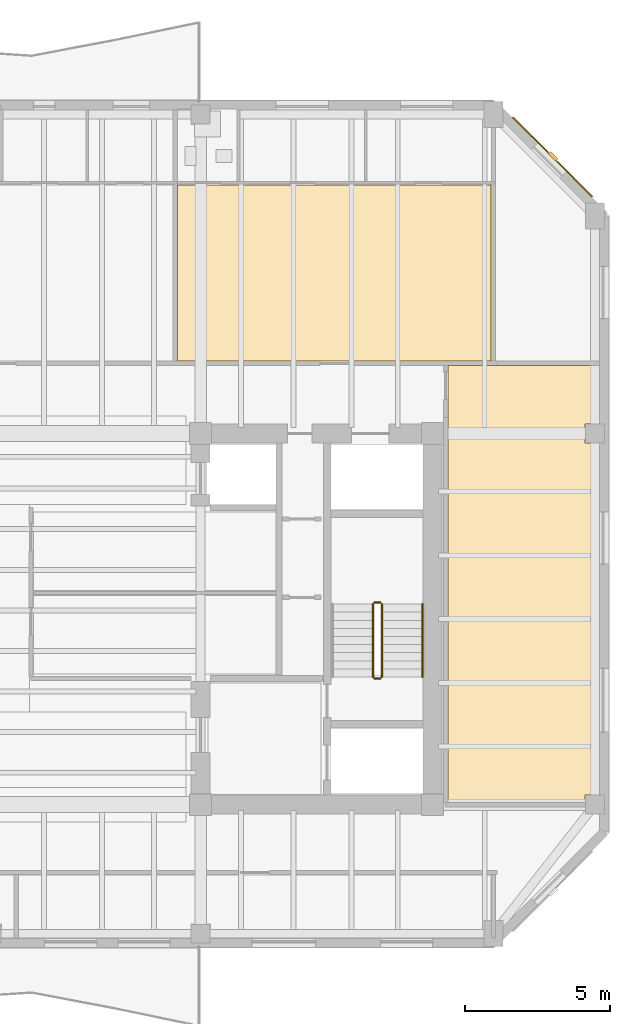
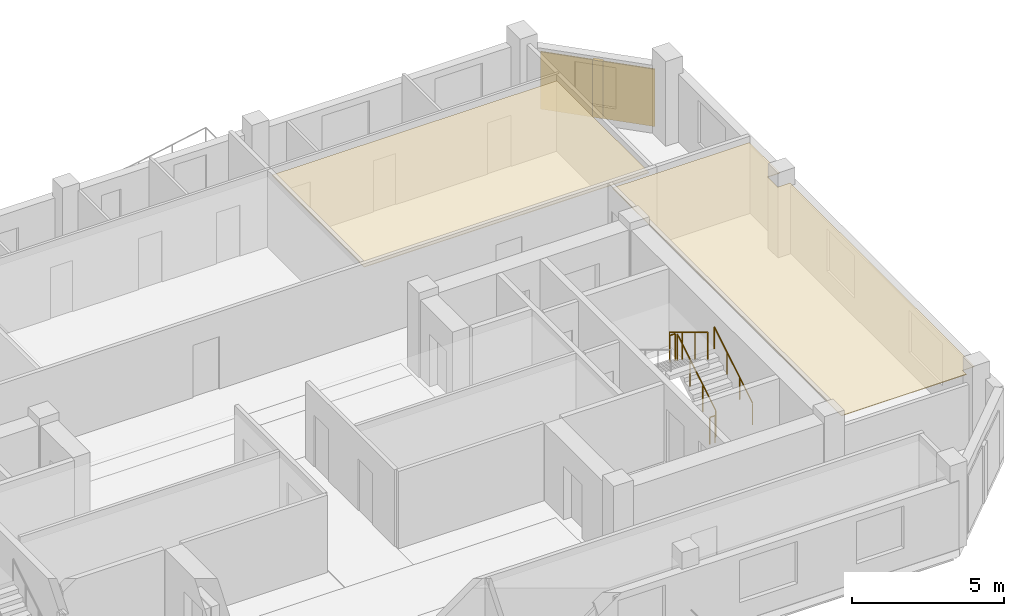
# One storey, part 9 of 10: 5 railings, 3 coverings, 1 shading device.
"""IFC4 building model written with IfcOpenShell, lengths in metres."""

import ifcopenshell
import ifcopenshell.guid

model = None  # the IFC model being written
_history = None  # IfcOwnerHistory: only IFC2X3 demands one
_inside = {}  # id of a spatial element -> (the spatial element, [elements in it])
_under = {}  # id of a project, library or spatial element -> (it, [spatial elements below it])
_declared = {}  # id of a project -> (the project, [libraries it declares])
_typed = {}  # id of a type object -> (the type object, [elements of that type])
_made_of = {}  # id of a material, layer set ... -> (it, [elements and type objects made of it])


def new_model(schema):
    """Start an empty IFC model of exactly this schema.

    Asked for "IFC4X3", IfcOpenShell would pick the latest addendum, in which some entities
    have other attributes; the version numbers below select the first issue.
    IFC2X3 requires an IfcOwnerHistory on every rooted entity: one is made here for all.
    """
    global model, _history
    if schema == "IFC4X3":
        model = ifcopenshell.file(schema_version=(4, 3, 0, 0))
    else:
        model = ifcopenshell.file(schema=schema)
    _inside.clear()
    _under.clear()
    _declared.clear()
    _typed.clear()
    _made_of.clear()
    _history = None
    if model.schema == "IFC2X3":
        org = make("IfcOrganization", Name="unknown")
        user = make(
            "IfcPersonAndOrganization",
            ThePerson=make("IfcPerson", FamilyName="unknown"),
            TheOrganization=org,
        )
        app = make(
            "IfcApplication",
            ApplicationDeveloper=org,
            Version="unknown",
            ApplicationFullName="unknown",
            ApplicationIdentifier="unknown",
        )
        _history = make(
            "IfcOwnerHistory",
            OwningUser=user,
            OwningApplication=app,
            ChangeAction="ADDED",
            CreationDate=0,
        )
    return model


def make(cls, **values):
    """One entity of the class cls with the attributes given. An attribute that is None is left unset."""
    return model.create_entity(
        cls, **{name: value for name, value in values.items() if value is not None}
    )


def rooted(cls, **values):
    """An entity with a GlobalId (a new one), such as an element, a storey or a relation."""
    return make(cls, GlobalId=ifcopenshell.guid.new(), OwnerHistory=_history, **values)


def si_unit(unit_type, name, prefix=None):
    """IfcSIUnit, for example si_unit("LENGTHUNIT", "METRE", prefix="MILLI")."""
    return make("IfcSIUnit", UnitType=unit_type, Prefix=prefix, Name=name)


def assignment(units):
    """IfcUnitAssignment: the units of a project."""
    return None if units is None else make("IfcUnitAssignment", Units=units)


def point(xyz):
    """IfcCartesianPoint."""
    return None if xyz is None else make("IfcCartesianPoint", Coordinates=xyz)


def direction(xyz):
    """IfcDirection."""
    return None if xyz is None else make("IfcDirection", DirectionRatios=xyz)


def frame(location, z_axis=None, x_axis=None):
    """IfcAxis2Placement3D, a coordinate frame: its origin and axes. An axis left out is left unset."""
    return make(
        "IfcAxis2Placement3D",
        Location=point(location),
        Axis=direction(z_axis),
        RefDirection=direction(x_axis),
    )


def frame_2d(location, x_axis=None):
    """IfcAxis2Placement2D, a coordinate frame in the plane: its origin and x axis."""
    return make(
        "IfcAxis2Placement2D", Location=point(location), RefDirection=direction(x_axis)
    )


def origin():
    """The frame at (0, 0, 0) with its axes left unset."""
    return frame((0.0, 0.0, 0.0))


def origin_2d():
    """The frame at (0, 0) in the plane with its x axis left unset."""
    return frame_2d((0.0, 0.0))


def place(relative_to, where):
    """IfcLocalPlacement: puts the frame where relative to a parent placement (None: the world)."""
    return make(
        "IfcLocalPlacement", PlacementRelTo=relative_to, RelativePlacement=where
    )


def context(
    kind, dimensions, precision=None, world=None, true_north=None, identifier=None
):
    """IfcGeometricRepresentationContext, for example the 3D "Model" context."""
    return make(
        "IfcGeometricRepresentationContext",
        ContextIdentifier=identifier,
        ContextType=kind,
        CoordinateSpaceDimension=dimensions,
        Precision=precision,
        WorldCoordinateSystem=world,
        TrueNorth=true_north,
    )


def subcontext(parent, identifier, kind, view, scale=None):
    """IfcGeometricRepresentationSubContext, for example "Body" below "Model"."""
    return make(
        "IfcGeometricRepresentationSubContext",
        ContextIdentifier=identifier,
        ContextType=kind,
        ParentContext=parent,
        TargetScale=scale,
        TargetView=view,
    )


def project(units=None, contexts=None):
    """IfcProject with its units and contexts."""
    return rooted(
        "IfcProject",
        Name="project",
        RepresentationContexts=contexts,
        UnitsInContext=assignment(units),
    )


def spatial(cls, under=None, at=None, **own):
    """A site, building, storey or space (cls), placed at a placement, below another one or the project."""
    s = rooted(cls, ObjectPlacement=at, **own)
    if under is not None:
        _under.setdefault(under.id(), (under, []))[1].append(s)
    return s


def polyline(points):
    """IfcPolyline through the points."""
    return make("IfcPolyline", Points=[point(p) for p in points])


def profile(cls, at=None, kind="AREA", **sizes):
    """A parametric profile (cls). Its sizes go by their IFC names, for example OverallWidth=200.0."""
    return make(cls, ProfileType=kind, Position=at, **sizes)


def rectangle(**sizes):
    """IfcRectangleProfileDef."""
    return profile("IfcRectangleProfileDef", **sizes)


def circle(**sizes):
    """IfcCircleProfileDef."""
    return profile("IfcCircleProfileDef", **sizes)


def outline(outer, holes=None, kind="AREA"):
    """IfcArbitraryClosedProfileDef: a profile drawn as a closed curve; with holes, ...WithVoids."""
    if holes is None:
        return make("IfcArbitraryClosedProfileDef", ProfileType=kind, OuterCurve=outer)
    return make(
        "IfcArbitraryProfileDefWithVoids",
        ProfileType=kind,
        OuterCurve=outer,
        InnerCurves=holes,
    )


def extrude(swept, where, along, depth):
    """IfcExtrudedAreaSolid: the profile swept, set in the frame where, extruded along a direction by depth."""
    return make(
        "IfcExtrudedAreaSolid",
        SweptArea=swept,
        Position=where,
        ExtrudedDirection=direction(along),
        Depth=depth,
    )


def shape(context_of_items, identifier, shape_type, items):
    """IfcShapeRepresentation: the items that make up one representation, for example the "Body"."""
    return make(
        "IfcShapeRepresentation",
        ContextOfItems=context_of_items,
        RepresentationIdentifier=identifier,
        RepresentationType=shape_type,
        Items=items,
    )


def material(Name=None, Category=None):
    """IfcMaterial."""
    return make("IfcMaterial", Name=Name, Category=Category)


def layer(
    of_material, thickness, ventilated=None, Name=None, Category=None, Priority=None
):
    """IfcMaterialLayer: one layer of a wall or slab, of a material (None: an air gap)."""
    return make(
        "IfcMaterialLayer",
        Material=of_material,
        LayerThickness=thickness,
        IsVentilated=ventilated,
        Name=Name,
        Category=Category,
        Priority=Priority,
    )


def layer_set(layers, Name=None):
    """IfcMaterialLayerSet."""
    return make("IfcMaterialLayerSet", MaterialLayers=layers, LayerSetName=Name)


def made_of(thing, what):
    """Note that an element or type object is made of a material, layer set ...; save() writes the relation."""
    if what is not None:
        _made_of.setdefault(what.id(), (what, []))[1].append(thing)
    return thing


def type_object(cls, material=None, **own):
    """A type object (cls), such as IfcWallType, which elements share."""
    return made_of(rooted(cls, **own), material)


def element(
    cls,
    number,
    at=None,
    inside=None,
    cuts=None,
    type_object=None,
    material=None,
    context=None,
    identifier="Body",
    shape_type=None,
    held_by="IfcProductDefinitionShape",
    body=None,
    shapes=None,
    **own,
):
    """One element of the class cls, such as IfcWall. Its Tag is "e" and its number.

    at: its placement. inside: the storey or other place that contains it. cuts: it is an
    opening in that element (IfcRelVoidsElement). A single representation is given by context,
    identifier, shape_type and body (its items); several are given by shapes. held_by: the class
    of the entity that holds the representations. save() writes the other relations.
    """
    e = rooted(cls, Tag="e%d" % number, ObjectPlacement=at, **own)
    if body is not None:
        shapes = [shape(context, identifier, shape_type, body)]
    if shapes is not None:
        e.Representation = make(held_by, Representations=shapes)
    if inside is not None:
        _inside.setdefault(inside.id(), (inside, []))[1].append(e)
    if cuts is not None:
        rooted(
            "IfcRelVoidsElement", RelatingBuildingElement=cuts, RelatedOpeningElement=e
        )
    if type_object is not None:
        _typed.setdefault(type_object.id(), (type_object, []))[1].append(e)
    return made_of(e, material)


def aggregate(whole, parts):
    """IfcRelAggregates: a whole, such as a stair, and the parts it consists of."""
    return rooted("IfcRelAggregates", RelatingObject=whole, RelatedObjects=parts)


def save(model, path):
    """Write the relations noted so far, then the file.

    IfcRelAggregates (storeys below a building ...), IfcRelContainedInSpatialStructure (elements
    in a storey), IfcRelDefinesByType, IfcRelAssociatesMaterial and IfcRelDeclares: one each for
    every whole, place, type object, material and project.
    """
    for whole, parts in _under.values():
        aggregate(whole, parts)
    for where, things in _inside.values():
        rooted(
            "IfcRelContainedInSpatialStructure",
            RelatedElements=things,
            RelatingStructure=where,
        )
    for kind, things in _typed.values():
        rooted("IfcRelDefinesByType", RelatedObjects=things, RelatingType=kind)
    for what, things in _made_of.values():
        rooted("IfcRelAssociatesMaterial", RelatedObjects=things, RelatingMaterial=what)
    for by, libraries in _declared.values():
        rooted("IfcRelDeclares", RelatingContext=by, RelatedDefinitions=libraries)
    model.write(path)


model = new_model("IFC4")

# Units and contexts
model_context = context("Model", 3, precision=1e-05, world=origin(), true_north=direction((0.0, 1.0)))
body_context = subcontext(model_context, "Body", "Model", "MODEL_VIEW")
ifc_project = project(units=[si_unit("LENGTHUNIT", "METRE"), si_unit("AREAUNIT", "SQUARE_METRE"), si_unit("VOLUMEUNIT", "CUBIC_METRE"), si_unit("PLANEANGLEUNIT", "RADIAN"), si_unit("MASSUNIT", "GRAM", prefix="KILO")], contexts=[model_context])

# Site, building, storey
site_placement = place(None, origin())
site = spatial("IfcSite", under=ifc_project, at=site_placement, CompositionType="ELEMENT")
building_placement = place(site_placement, origin())
building = spatial("IfcBuilding", under=site, at=building_placement, Name="Kranthara Brick Stack", CompositionType="ELEMENT")
storey_placement = place(building_placement, frame((0.0, 0.0, 275.5)))
storey = spatial("IfcBuildingStorey", under=building, at=storey_placement, Name="L73", CompositionType="ELEMENT", Elevation=275.5)

# Coverings
ifc_material_1 = material(Name="Perforated mineral-fibre acoustic ceiling tile", Category="other")
ifc_layer_1 = layer(ifc_material_1, 0.02490234375)
ifc_layer_set_1 = layer_set([ifc_layer_1], Name="Perforated mineral-fibre acoustic ceiling tile")
covering_type_1 = type_object("IfcCoveringType", Name="COV-CEIL-ACOUSTIC", PredefinedType="CEILING", material=ifc_layer_set_1)
covering_1_placement = place(storey_placement, frame((0.0, 0.0, 2.830078125)))
element("IfcCovering", 1, at=covering_1_placement, inside=storey, type_object=covering_type_1, Name="L73 Unit L73C 1-Bed Apartment Living Dining Acoustic Ceiling", PredefinedType="CEILING", context=body_context, shape_type="SweptSolid", body=[
    extrude(outline(polyline([(45.219970703125, 36.10009765625), (45.219970703125, 42.169921875), (34.409912109375, 42.169921875), (34.409912109375, 36.10009765625), (45.219970703125, 36.10009765625)])), origin(), (0.0, 0.0, 1.0), 0.02490234375),
])
covering_2_placement = place(storey_placement, frame((0.0, 0.0, 2.830078125)))
element("IfcCovering", 2, at=covering_2_placement, inside=storey, type_object=covering_type_1, Name="L73 L73 East Panoramic Sky Conservatory Acoustic Ceiling", PredefinedType="CEILING", context=body_context, shape_type="SweptSolid", body=[
    extrude(outline(polyline([(43.72998046875, 35.93994140625), (48.929931640625, 35.93994140625), (48.929931640625, 33.93505859375), (48.465087890625, 33.93505859375), (48.465087890625, 33.264892578125), (48.929931640625, 33.264892578125), (48.929931640625, 21.135009765625), (48.465087890625, 21.135009765625), (48.465087890625, 20.8798828125), (43.72998046875, 20.8798828125), (43.72998046875, 35.93994140625)])), origin(), (0.0, 0.0, 1.0), 0.02490234375),
])
ifc_material_2 = material(Name="Warm buff kiln-fired brick slip rainscreen", Category="masonry")
ifc_layer_2 = layer(ifc_material_2, 0.044921875)
ifc_layer_set_2 = layer_set([ifc_layer_2], Name="Warm buff kiln-fired brick slip rainscreen")
covering_type_2 = type_object("IfcCoveringType", Name="COV-CLAD-BRICK", PredefinedType="CLADDING", material=ifc_layer_set_2)
covering_3_placement = place(storey_placement, frame((47.33740234375, 43.13720703125, 0.0498046875), z_axis=(0.0, 0.0, 1.0), x_axis=(0.707106781187, -0.707106781187, 0.0)))
element("IfcCovering", 3, at=covering_3_placement, inside=storey, type_object=covering_type_2, Name="L73 Chamfer Brick Rainscreen Cladding NE", PredefinedType="CLADDING", context=body_context, shape_type="SweptSolid", body=[
    extrude(rectangle(XDim=3.889892578125, YDim=0.044921875, at=origin_2d()), origin(), (0.0, 0.0, 1.0), 2.300048828125),
])

# Railings
ifc_material_3 = material(Name="Painted galvanized steel stair guardrail", Category="steel")
railing_type_1 = type_object("IfcRailingType", Name="RL-STAIR-GUARD-1100", PredefinedType="GUARDRAIL", material=ifc_material_3)
railing_1_placement = place(storey_placement, frame((41.449951171875, 25.199951171875, 0.169921875)))
element("IfcRailing", 4, at=railing_1_placement, inside=storey, type_object=railing_type_1, Name="L73 ST02 stair guard 1", PredefinedType="GUARDRAIL", context=body_context, shape_type="SweptSolid", body=[
    extrude(circle(Radius=0.02392578125, at=origin_2d()), frame((0.0, 0.0, 1.076171875), z_axis=(0.0, 0.85478489116, 0.518982456201), x_axis=(-1.0, 0.0, 0.0)), (0.0, 0.0, 1.0), 2.9482421875),
    extrude(circle(Radius=0.02099609375, at=origin_2d()), origin(), (0.0, 0.0, 1.0), 1.052001953125),
    extrude(circle(Radius=0.02099609375, at=origin_2d()), frame((0.0, 0.840087890625, 0.510009765625)), (0.0, 0.0, 1.0), 1.052001953125),
    extrude(circle(Radius=0.02099609375, at=origin_2d()), frame((0.0, 1.679931640625, 1.02001953125)), (0.0, 0.0, 1.0), 1.052001953125),
    extrude(circle(Radius=0.02099609375, at=origin_2d()), frame((0.0, 2.52001953125, 1.530029296875)), (0.0, 0.0, 1.0), 1.052001953125),
])
railing_2_placement = place(storey_placement, frame((41.39990234375, 27.77001953125, 1.699951171875)))
element("IfcRailing", 5, at=railing_2_placement, inside=storey, type_object=railing_type_1, Name="L73 ST02 stair guard 2", PredefinedType="GUARDRAIL", context=body_context, shape_type="SweptSolid", body=[
    extrude(circle(Radius=0.02392578125, at=origin_2d()), frame((0.0, 0.0, 1.076171875), z_axis=(-1.0, 0.0, 0.0), x_axis=(0.0, -1.0, 0.0)), (0.0, 0.0, 1.0), 0.199951171875),
    extrude(circle(Radius=0.02099609375, at=origin_2d()), origin(), (0.0, 0.0, 1.0), 1.052001953125),
    extrude(circle(Radius=0.02099609375, at=origin_2d()), frame((-0.199951171875, 0.0, 0.0)), (0.0, 0.0, 1.0), 1.052001953125),
])
railing_3_placement = place(storey_placement, frame((41.14990234375, 27.719970703125, 1.8701171875)))
element("IfcRailing", 6, at=railing_3_placement, inside=storey, type_object=railing_type_1, Name="L73 ST02 stair guard 3", PredefinedType="GUARDRAIL", context=body_context, shape_type="SweptSolid", body=[
    extrude(circle(Radius=0.02392578125, at=origin_2d()), frame((0.0, 0.0, 1.076171875), z_axis=(0.0, -0.854821627497, 0.518921945155), x_axis=(1.0, 0.0, 0.0)), (0.0, 0.0, 1.0), 2.947998046875),
    extrude(circle(Radius=0.02099609375, at=origin_2d()), origin(), (0.0, 0.0, 1.0), 1.052001953125),
    extrude(circle(Radius=0.02099609375, at=origin_2d()), frame((0.0, -0.840087890625, 0.510009765625)), (0.0, 0.0, 1.0), 1.052001953125),
    extrude(circle(Radius=0.02099609375, at=origin_2d()), frame((0.0, -1.679931640625, 1.019775390625)), (0.0, 0.0, 1.0), 1.052001953125),
    extrude(circle(Radius=0.02099609375, at=origin_2d()), frame((0.0, -2.52001953125, 1.52978515625)), (0.0, 0.0, 1.0), 1.052001953125),
])
railing_4_placement = place(storey_placement, frame((41.39990234375, 25.14990234375, 0.0)))
element("IfcRailing", 7, at=railing_4_placement, inside=storey, type_object=railing_type_1, Name="L73 ST02 stair guard 4", PredefinedType="GUARDRAIL", context=body_context, shape_type="SweptSolid", body=[
    extrude(circle(Radius=0.02392578125, at=origin_2d()), frame((0.0, 0.0, 1.076171875), z_axis=(-1.0, 0.0, 0.0), x_axis=(0.0, -1.0, 0.0)), (0.0, 0.0, 1.0), 0.199951171875),
    extrude(circle(Radius=0.02099609375, at=origin_2d()), origin(), (0.0, 0.0, 1.0), 1.052001953125),
    extrude(circle(Radius=0.02099609375, at=origin_2d()), frame((-0.199951171875, 0.0, 0.0)), (0.0, 0.0, 1.0), 1.052001953125),
])
ifc_material_4 = material(Name="Brushed stainless steel tubular handrail", Category="steel")
railing_type_2 = type_object("IfcRailingType", Name="RL-STAIR-HAND-900", PredefinedType="HANDRAIL", material=ifc_material_4)
railing_5_placement = place(storey_placement, frame((42.85009765625, 25.199951171875, 0.169921875)))
element("IfcRailing", 8, at=railing_5_placement, inside=storey, type_object=railing_type_2, Name="L73 ST02 stair handrail 1", PredefinedType="HANDRAIL", context=body_context, shape_type="SweptSolid", body=[
    extrude(circle(Radius=0.02392578125, at=origin_2d()), frame((0.0, 0.0, 0.8759765625), z_axis=(0.0, 0.85478489116, 0.518982456201), x_axis=(-1.0, 0.0, 0.0)), (0.0, 0.0, 1.0), 2.9482421875),
    extrude(circle(Radius=0.02099609375, at=origin_2d()), origin(), (0.0, 0.0, 1.0), 0.851806640625),
    extrude(circle(Radius=0.02099609375, at=origin_2d()), frame((0.0, 0.840087890625, 0.510009765625)), (0.0, 0.0, 1.0), 0.851806640625),
    extrude(circle(Radius=0.02099609375, at=origin_2d()), frame((0.0, 1.679931640625, 1.02001953125)), (0.0, 0.0, 1.0), 0.851806640625),
    extrude(circle(Radius=0.02099609375, at=origin_2d()), frame((0.0, 2.52001953125, 1.530029296875)), (0.0, 0.0, 1.0), 0.851806640625),
])

# Shading device
ifc_material_5 = material(Name="Kiln-fired terracotta aerodynamic wind fin", Category="masonry")
shading_device_type = type_object("IfcShadingDeviceType", Name="SHD-BAFFLE-CORNER", PredefinedType="SHUTTER", material=ifc_material_5)
shading_device_placement = place(storey_placement, frame((47.3583984375, 43.158447265625, 0.0498046875), z_axis=(0.0, 0.0, 1.0), x_axis=(0.707106781187, -0.707106781187, 0.0)))
element("IfcShadingDevice", 9, at=shading_device_placement, inside=storey, type_object=shading_device_type, Name="L73 Chamfer Wind-Baffle Fin NE", PredefinedType="SHUTTER", context=body_context, shape_type="SweptSolid", body=[
    extrude(rectangle(XDim=0.35009765625, YDim=0.1201171875, at=origin_2d()), origin(), (0.0, 0.0, 1.0), 2.300048828125),
])

save(model, "model.ifc")
